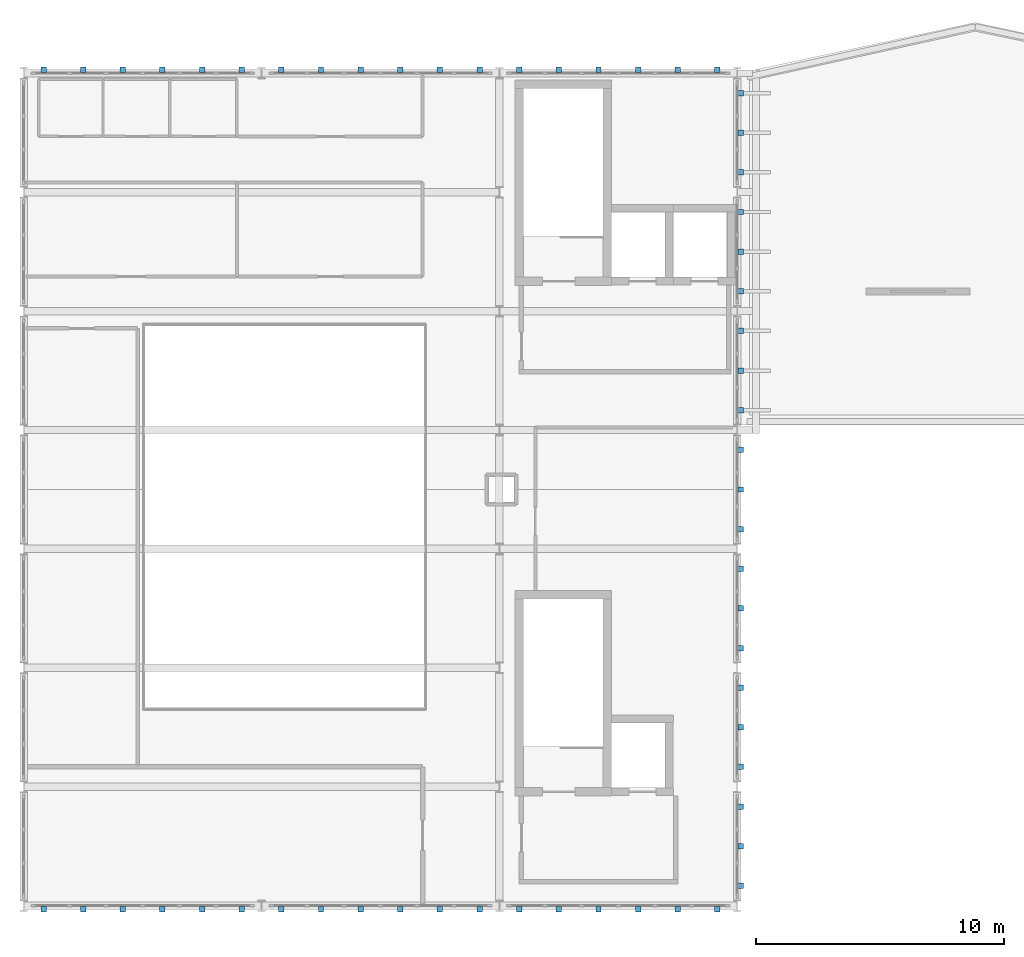
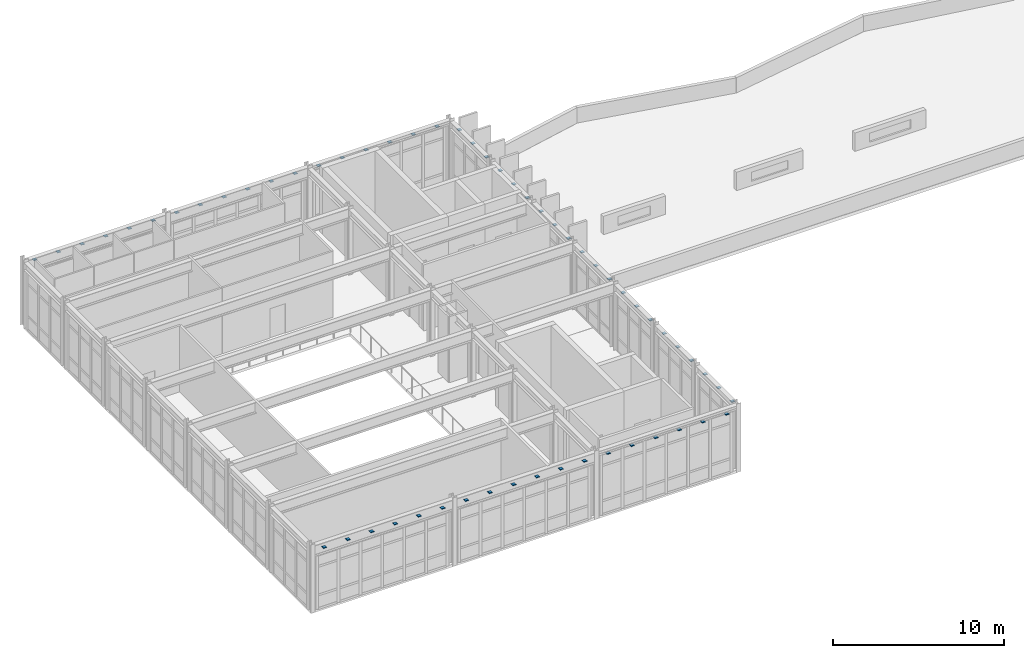
# One storey, part 15 of 16: 57 discrete accessories.
"""IFC4 building model written with IfcOpenShell, lengths in metres."""

from ifc_helpers import new_model, si_unit, direction, frame, origin, origin_2d, place, context, subcontext, project, spatial, rectangle, extrude, material, layer, layer_set, type_object, element, save


model = new_model("IFC4")

# Units and contexts
model_context = context("Model", 3, precision=1e-05, world=origin(), true_north=direction((0.0, 1.0)))
body_context = subcontext(model_context, "Body", "Model", "MODEL_VIEW")
ifc_project = project(units=[si_unit("LENGTHUNIT", "METRE"), si_unit("AREAUNIT", "SQUARE_METRE"), si_unit("VOLUMEUNIT", "CUBIC_METRE"), si_unit("PLANEANGLEUNIT", "RADIAN"), si_unit("MASSUNIT", "GRAM", prefix="KILO")], contexts=[model_context])

# Site, building, storey
site_placement = place(None, origin())
site = spatial("IfcSite", under=ifc_project, at=site_placement, CompositionType="ELEMENT")
building_placement = place(site_placement, origin())
building = spatial("IfcBuilding", under=site, at=building_placement, Name="Nordkorset Police Headquarters", CompositionType="ELEMENT")
storey_placement = place(building_placement, frame((0.0, 0.0, 31.14990234375)))
storey = spatial("IfcBuildingStorey", under=building, at=storey_placement, Name="L07", CompositionType="ELEMENT", Elevation=31.14990234375)

# Discrete accessories
ifc_material = material(Name="Steel S355J2", Category="steel")
ifc_layer = layer(ifc_material, 0.02490234375, Name="Steel S355J2")
ifc_layer_set = layer_set([ifc_layer], Name="Steel S355J2")
discrete_accessory_type = type_object("IfcDiscreteAccessoryType", Name="Fin_Outrigger_Bracket", PredefinedType="BRACKET", material=ifc_layer_set)
for number, where, z_axis, x_axis, name in (
    (1, (28.949951171875, 84.0, 4.3876953125), (0.0, 0.0, 1.0), (1.0, 0.0, 0.0), "Timber Fin Outrigger Bracket E-022"),
    (2, (28.949951171875, 85.60009765625, 4.3876953125), (0.0, 0.0, 1.0), (1.0, 0.0, 0.0), "Timber Fin Outrigger Bracket E-023"),
    (3, (28.949951171875, 87.199951171875, 4.3876953125), (0.0, 0.0, 1.0), (1.0, 0.0, 0.0), "Timber Fin Outrigger Bracket E-024"),
    (4, (28.949951171875, 88.800048828125, 4.3876953125), (0.0, 0.0, 1.0), (1.0, 0.0, 0.0), "Timber Fin Outrigger Bracket E-025"),
    (5, (28.949951171875, 90.39990234375, 4.3876953125), (0.0, 0.0, 1.0), (1.0, 0.0, 0.0), "Timber Fin Outrigger Bracket E-026"),
    (6, (28.949951171875, 92.0, 4.3876953125), (0.0, 0.0, 1.0), (1.0, 0.0, 0.0), "Timber Fin Outrigger Bracket E-027"),
    (7, (28.949951171875, 93.60009765625, 4.3876953125), (0.0, 0.0, 1.0), (1.0, 0.0, 0.0), "Timber Fin Outrigger Bracket E-028"),
    (8, (28.949951171875, 95.199951171875, 4.3876953125), (0.0, 0.0, 1.0), (1.0, 0.0, 0.0), "Timber Fin Outrigger Bracket E-029"),
    (9, (28.949951171875, 96.800048828125, 4.3876953125), (0.0, 0.0, 1.0), (1.0, 0.0, 0.0), "Timber Fin Outrigger Bracket E-030"),
    (10, (28.949951171875, 98.39990234375, 4.3876953125), (0.0, 0.0, 1.0), (1.0, 0.0, 0.0), "Timber Fin Outrigger Bracket E-031"),
    (11, (28.949951171875, 100.0, 4.3876953125), (0.0, 0.0, 1.0), (1.0, 0.0, 0.0), "Timber Fin Outrigger Bracket E-032"),
    (12, (28.949951171875, 101.60009765625, 4.3876953125), (0.0, 0.0, 1.0), (1.0, 0.0, 0.0), "Timber Fin Outrigger Bracket E-033"),
    (13, (28.949951171875, 103.199951171875, 4.3876953125), (0.0, 0.0, 1.0), (1.0, 0.0, 0.0), "Timber Fin Outrigger Bracket E-034"),
    (14, (28.949951171875, 104.800048828125, 4.3876953125), (0.0, 0.0, 1.0), (1.0, 0.0, 0.0), "Timber Fin Outrigger Bracket E-035"),
    (15, (28.949951171875, 106.39990234375, 4.3876953125), (0.0, 0.0, 1.0), (1.0, 0.0, 0.0), "Timber Fin Outrigger Bracket E-036"),
    (16, (28.949951171875, 108.0, 4.3876953125), (0.0, 0.0, 1.0), (1.0, 0.0, 0.0), "Timber Fin Outrigger Bracket E-037"),
    (17, (28.949951171875, 109.60009765625, 4.3876953125), (0.0, 0.0, 1.0), (1.0, 0.0, 0.0), "Timber Fin Outrigger Bracket E-038"),
    (18, (28.949951171875, 111.199951171875, 4.3876953125), (0.0, 0.0, 1.0), (1.0, 0.0, 0.0), "Timber Fin Outrigger Bracket E-039"),
    (19, (28.949951171875, 112.800048828125, 4.3876953125), (0.0, 0.0, 1.0), (1.0, 0.0, 0.0), "Timber Fin Outrigger Bracket E-040"),
    (20, (28.949951171875, 114.39990234375, 4.3876953125), (0.0, 0.0, 1.0), (1.0, 0.0, 0.0), "Timber Fin Outrigger Bracket E-041"),
    (21, (28.949951171875, 116.0, 4.3876953125), (0.0, 0.0, 1.0), (1.0, 0.0, 0.0), "Timber Fin Outrigger Bracket E-042"),
    (22, (0.800048828125, 116.949951171875, 4.3876953125), (0.0, 0.0, 1.0), (1.0, 0.0, 0.0), "Timber Fin Outrigger Bracket N-043"),
    (23, (0.800048828125, 83.050048828125, 4.3876953125), (0.0, 0.0, 1.0), (1.0, 0.0, 0.0), "Timber Fin Outrigger Bracket S-044"),
    (24, (2.39990234375, 116.949951171875, 4.3876953125), (0.0, 0.0, 1.0), (1.0, 0.0, 0.0), "Timber Fin Outrigger Bracket N-045"),
    (25, (2.39990234375, 83.050048828125, 4.3876953125), (0.0, 0.0, 1.0), (1.0, 0.0, 0.0), "Timber Fin Outrigger Bracket S-046"),
    (26, (4.0, 116.949951171875, 4.3876953125), (0.0, 0.0, 1.0), (1.0, 0.0, 0.0), "Timber Fin Outrigger Bracket N-047"),
    (27, (4.0, 83.050048828125, 4.3876953125), (0.0, 0.0, 1.0), (1.0, 0.0, 0.0), "Timber Fin Outrigger Bracket S-048"),
    (28, (5.60009765625, 116.949951171875, 4.3876953125), (0.0, 0.0, 1.0), (1.0, 0.0, 0.0), "Timber Fin Outrigger Bracket N-049"),
    (29, (5.60009765625, 83.050048828125, 4.3876953125), (0.0, 0.0, 1.0), (1.0, 0.0, 0.0), "Timber Fin Outrigger Bracket S-050"),
    (30, (7.199951171875, 116.949951171875, 4.3876953125), (0.0, 0.0, 1.0), (1.0, 0.0, 0.0), "Timber Fin Outrigger Bracket N-051"),
    (31, (7.199951171875, 83.050048828125, 4.3876953125), (0.0, 0.0, 1.0), (1.0, 0.0, 0.0), "Timber Fin Outrigger Bracket S-052"),
    (32, (8.800048828125, 116.949951171875, 4.3876953125), (0.0, 0.0, 1.0), (1.0, 0.0, 0.0), "Timber Fin Outrigger Bracket N-053"),
    (33, (8.800048828125, 83.050048828125, 4.3876953125), (0.0, 0.0, 1.0), (1.0, 0.0, 0.0), "Timber Fin Outrigger Bracket S-054"),
    (34, (10.39990234375, 116.949951171875, 4.3876953125), (0.0, 0.0, 1.0), (1.0, 0.0, 0.0), "Timber Fin Outrigger Bracket N-055"),
    (35, (10.39990234375, 83.050048828125, 4.3876953125), (0.0, 0.0, 1.0), (1.0, 0.0, 0.0), "Timber Fin Outrigger Bracket S-056"),
    (36, (12.0, 116.949951171875, 4.3876953125), (0.0, 0.0, 1.0), (1.0, 0.0, 0.0), "Timber Fin Outrigger Bracket N-057"),
    (37, (12.0, 83.050048828125, 4.3876953125), (0.0, 0.0, 1.0), (1.0, 0.0, 0.0), "Timber Fin Outrigger Bracket S-058"),
    (38, (13.60009765625, 116.949951171875, 4.3876953125), (0.0, 0.0, 1.0), (1.0, 0.0, 0.0), "Timber Fin Outrigger Bracket N-059"),
    (39, (13.60009765625, 83.050048828125, 4.3876953125), (0.0, 0.0, 1.0), (1.0, 0.0, 0.0), "Timber Fin Outrigger Bracket S-060"),
    (40, (15.199951171875, 116.949951171875, 4.3876953125), (0.0, 0.0, 1.0), (1.0, 0.0, 0.0), "Timber Fin Outrigger Bracket N-061"),
    (41, (15.199951171875, 83.050048828125, 4.3876953125), (0.0, 0.0, 1.0), (1.0, 0.0, 0.0), "Timber Fin Outrigger Bracket S-062"),
    (42, (16.800048828125, 116.949951171875, 4.3876953125), (0.0, 0.0, 1.0), (1.0, 0.0, 0.0), "Timber Fin Outrigger Bracket N-063"),
    (43, (16.800048828125, 83.050048828125, 4.3876953125), (0.0, 0.0, 1.0), (1.0, 0.0, 0.0), "Timber Fin Outrigger Bracket S-064"),
    (44, (18.39990234375, 116.949951171875, 4.3876953125), (0.0, 0.0, 1.0), (1.0, 0.0, 0.0), "Timber Fin Outrigger Bracket N-065"),
    (45, (18.39990234375, 83.050048828125, 4.3876953125), (0.0, 0.0, 1.0), (1.0, 0.0, 0.0), "Timber Fin Outrigger Bracket S-066"),
    (46, (20.0, 116.949951171875, 4.3876953125), (0.0, 0.0, 1.0), (1.0, 0.0, 0.0), "Timber Fin Outrigger Bracket N-067"),
    (47, (20.0, 83.050048828125, 4.3876953125), (0.0, 0.0, 1.0), (1.0, 0.0, 0.0), "Timber Fin Outrigger Bracket S-068"),
    (48, (21.60009765625, 116.949951171875, 4.3876953125), (0.0, 0.0, 1.0), (1.0, 0.0, 0.0), "Timber Fin Outrigger Bracket N-069"),
    (49, (21.60009765625, 83.050048828125, 4.3876953125), (0.0, 0.0, 1.0), (1.0, 0.0, 0.0), "Timber Fin Outrigger Bracket S-070"),
    (50, (23.199951171875, 116.949951171875, 4.3876953125), (0.0, 0.0, 1.0), (1.0, 0.0, 0.0), "Timber Fin Outrigger Bracket N-071"),
    (51, (23.199951171875, 83.050048828125, 4.3876953125), (0.0, 0.0, 1.0), (1.0, 0.0, 0.0), "Timber Fin Outrigger Bracket S-072"),
    (52, (24.800048828125, 116.949951171875, 4.3876953125), (0.0, 0.0, 1.0), (1.0, 0.0, 0.0), "Timber Fin Outrigger Bracket N-073"),
    (53, (24.800048828125, 83.050048828125, 4.3876953125), (0.0, 0.0, 1.0), (1.0, 0.0, 0.0), "Timber Fin Outrigger Bracket S-074"),
    (54, (26.39990234375, 116.949951171875, 4.3876953125), (0.0, 0.0, 1.0), (1.0, 0.0, 0.0), "Timber Fin Outrigger Bracket N-075"),
    (55, (26.39990234375, 83.050048828125, 4.3876953125), (0.0, 0.0, 1.0), (1.0, 0.0, 0.0), "Timber Fin Outrigger Bracket S-076"),
    (56, (28.0, 116.949951171875, 4.3876953125), (0.0, 0.0, 1.0), (1.0, 0.0, 0.0), "Timber Fin Outrigger Bracket N-077"),
    (57, (28.0, 83.050048828125, 4.3876953125), (0.0, 0.0, 1.0), (1.0, 0.0, 0.0), "Timber Fin Outrigger Bracket S-078"),
):
    element("IfcDiscreteAccessory", number, at=place(storey_placement, frame(where, z_axis=z_axis, x_axis=x_axis)), inside=storey, type_object=discrete_accessory_type, Name=name, PredefinedType="BRACKET", context=body_context, shape_type="SweptSolid", body=[
        extrude(rectangle(XDim=0.219970703125, YDim=0.219970703125, at=origin_2d()), origin(), (0.0, 0.0, 1.0), 0.02490234375),
    ])

save(model, "model.ifc")
